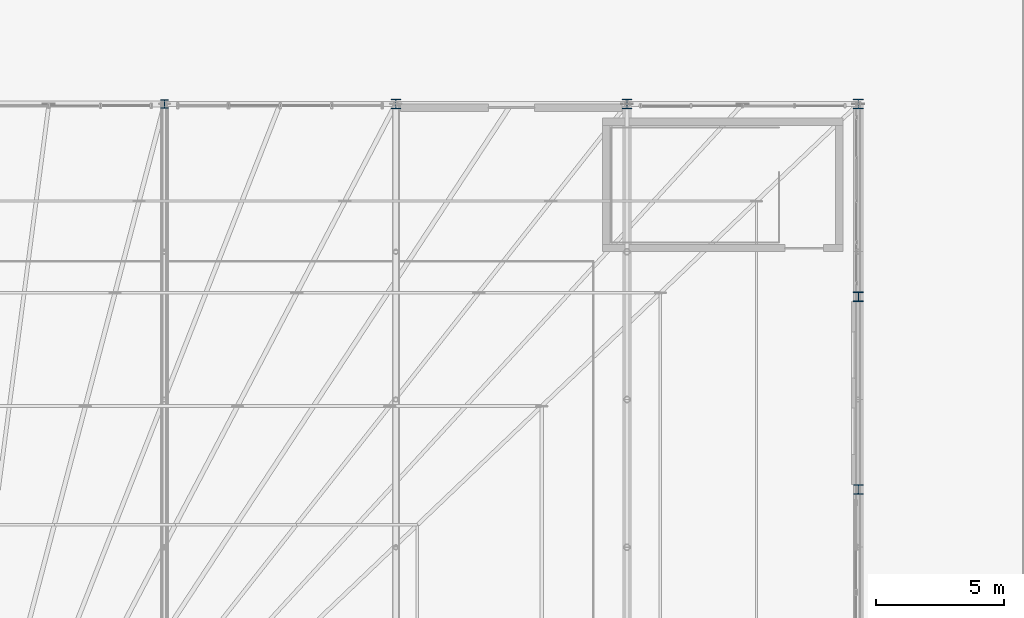
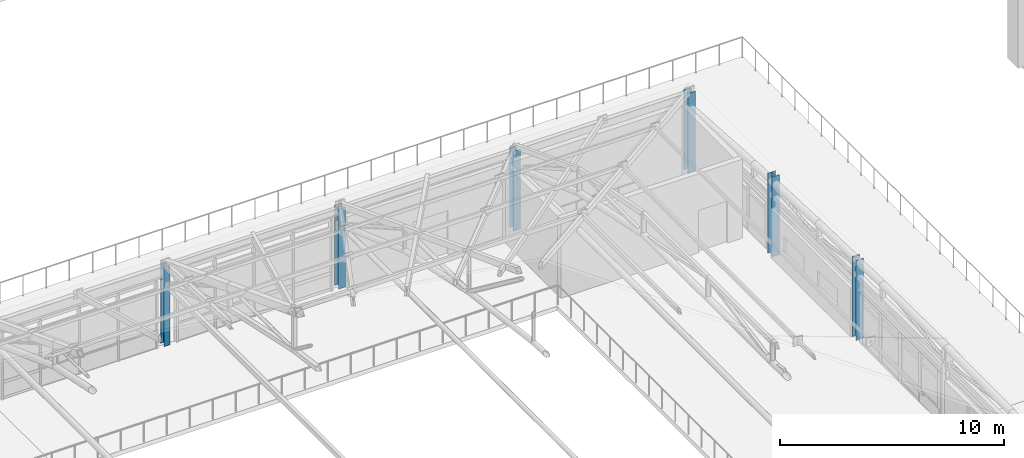
# One storey, part 6 of 168: 6 columns.
"""IFC4 building model written with IfcOpenShell, lengths in metres."""

from ifc_helpers import new_model, si_unit, direction, frame, origin, origin_2d, place, context, subcontext, project, spatial, i_section, extrude, material, material_profile, profile_set, type_object, element, save


model = new_model("IFC4")

# Units and contexts
model_context = context("Model", 3, precision=1e-05, world=origin(), true_north=direction((0.0, 1.0)))
body_context = subcontext(model_context, "Body", "Model", "MODEL_VIEW")
ifc_project = project(units=[si_unit("LENGTHUNIT", "METRE"), si_unit("AREAUNIT", "SQUARE_METRE"), si_unit("VOLUMEUNIT", "CUBIC_METRE"), si_unit("PLANEANGLEUNIT", "RADIAN"), si_unit("MASSUNIT", "GRAM", prefix="KILO"), si_unit("THERMODYNAMICTEMPERATUREUNIT", "KELVIN"), si_unit("POWERUNIT", "WATT")], contexts=[model_context])

# Site, building, storey
site_placement = place(None, origin())
site = spatial("IfcSite", under=ifc_project, at=site_placement, CompositionType="ELEMENT")
building_placement = place(site_placement, origin())
building = spatial("IfcBuilding", under=site, at=building_placement, Name="Tepalcoro Natatorium and Aquatics Centre", CompositionType="ELEMENT")
storey_placement = place(building_placement, frame((0.0, 0.0, 10.199951171875)))
storey = spatial("IfcBuildingStorey", under=building, at=storey_placement, Name="L02", CompositionType="ELEMENT", Elevation=10.199951171875)

# Columns
ifc_material = material(Name="Steel ASTM A992 Grade 50 (Fy 345 MPa)", Category="steel")
ifc_material_profile_1 = material_profile(ifc_material, i_section(OverallWidth=0.306884765625, OverallDepth=0.31494140625, WebThickness=0.011962890625, FlangeThickness=0.01904296875, FilletRadius=0.013916015625, at=origin_2d()), Name="W12X79")
ifc_profile_set_1 = profile_set([ifc_material_profile_1], Name="Steel ASTM A992 Grade 50 (Fy 345 MPa)")
column_type_1 = type_object("IfcColumnType", Name="COL_W12x79", PredefinedType="COLUMN", material=ifc_profile_set_1)
column_1_placement = place(storey_placement, frame((98.0, 59.0, 0.0), z_axis=(0.0, 0.0, 1.0), x_axis=(1.0, 0.0, 0.0)))
element("IfcColumn", 1, at=column_1_placement, inside=storey, type_object=column_type_1, Name="V1 L02 Grid Column (98.0, 59.0)", PredefinedType="COLUMN", context=body_context, shape_type="SweptSolid", body=[
    extrude(i_section(OverallWidth=0.306884765625, OverallDepth=0.31494140625, WebThickness=0.011962890625, FlangeThickness=0.01904296875, FilletRadius=0.013916015625, at=origin_2d()), origin(), (0.0, 0.0, 1.0), 4.35009765625),
])
ifc_material_profile_2 = material_profile(ifc_material, i_section(OverallWidth=0.37109375, OverallDepth=0.363037109375, WebThickness=0.012939453125, FlangeThickness=0.02197265625, FilletRadius=0.013916015625, at=origin_2d()), Name="W14X109")
ifc_profile_set_2 = profile_set([ifc_material_profile_2], Name="Steel ASTM A992 Grade 50 (Fy 345 MPa)")
column_type_2 = type_object("IfcColumnType", Name="COL_W14x109", PredefinedType="COLUMN", material=ifc_profile_set_2)
column_2_placement = place(storey_placement, frame((107.0, 59.0, 0.0), z_axis=(0.0, 0.0, 1.0), x_axis=(1.0, 0.0, 0.0)))
element("IfcColumn", 2, at=column_2_placement, inside=storey, type_object=column_type_2, Name="V1 L02 Grid Column (107.0, 59.0)", PredefinedType="COLUMN", context=body_context, shape_type="SweptSolid", body=[
    extrude(i_section(OverallWidth=0.37109375, OverallDepth=0.363037109375, WebThickness=0.012939453125, FlangeThickness=0.02197265625, FilletRadius=0.013916015625, at=origin_2d()), origin(), (0.0, 0.0, 1.0), 4.35009765625),
])
ifc_material_profile_3 = material_profile(ifc_material, i_section(OverallWidth=0.373046875, OverallDepth=0.367919921875, WebThickness=0.014892578125, FlangeThickness=0.02392578125, FilletRadius=0.013916015625, at=origin_2d()), Name="W14X120")
ifc_profile_set_3 = profile_set([ifc_material_profile_3], Name="Steel ASTM A992 Grade 50 (Fy 345 MPa)")
column_type_3 = type_object("IfcColumnType", Name="COL_W14x120", PredefinedType="COLUMN", material=ifc_profile_set_3)
column_3_placement = place(storey_placement, frame((125.0, 44.0, 0.0), z_axis=(0.0, 0.0, 1.0), x_axis=(1.0, 0.0, 0.0)))
element("IfcColumn", 3, at=column_3_placement, inside=storey, type_object=column_type_3, Name="V1 L02 Grid Column (125.0, 44.0)", PredefinedType="COLUMN", context=body_context, shape_type="SweptSolid", body=[
    extrude(i_section(OverallWidth=0.373046875, OverallDepth=0.367919921875, WebThickness=0.014892578125, FlangeThickness=0.02392578125, FilletRadius=0.013916015625, at=origin_2d()), origin(), (0.0, 0.0, 1.0), 4.35009765625),
])
ifc_material_profile_4 = material_profile(ifc_material, i_section(OverallWidth=0.39404296875, OverallDepth=0.3759765625, WebThickness=0.01708984375, FlangeThickness=0.028076171875, FilletRadius=0.013916015625, at=origin_2d()), Name="W14X145")
ifc_profile_set_4 = profile_set([ifc_material_profile_4], Name="Steel ASTM A992 Grade 50 (Fy 345 MPa)")
column_type_4 = type_object("IfcColumnType", Name="COL_W14x145", PredefinedType="COLUMN", material=ifc_profile_set_4)
column_4_placement = place(storey_placement, frame((125.0, 51.5, 0.0), z_axis=(0.0, 0.0, 1.0), x_axis=(1.0, 0.0, 0.0)))
element("IfcColumn", 4, at=column_4_placement, inside=storey, type_object=column_type_4, Name="V1 L02 Grid Column (125.0, 51.5)", PredefinedType="COLUMN", context=body_context, shape_type="SweptSolid", body=[
    extrude(i_section(OverallWidth=0.39404296875, OverallDepth=0.3759765625, WebThickness=0.01708984375, FlangeThickness=0.028076171875, FilletRadius=0.013916015625, at=origin_2d()), origin(), (0.0, 0.0, 1.0), 4.35009765625),
])
ifc_material_profile_5 = material_profile(ifc_material, i_section(OverallWidth=0.39892578125, OverallDepth=0.385986328125, WebThickness=0.02099609375, FlangeThickness=0.032958984375, FilletRadius=0.013916015625, at=origin_2d()), Name="W14X176")
ifc_profile_set_5 = profile_set([ifc_material_profile_5], Name="Steel ASTM A992 Grade 50 (Fy 345 MPa)")
column_type_5 = type_object("IfcColumnType", Name="COL_W14x176", PredefinedType="COLUMN", material=ifc_profile_set_5)
column_5_placement = place(storey_placement, frame((125.0, 59.0, 0.0), z_axis=(0.0, 0.0, 1.0), x_axis=(1.0, 0.0, 0.0)))
element("IfcColumn", 5, at=column_5_placement, inside=storey, type_object=column_type_5, Name="V1 L02 Grid Column (125.0, 59.0)", PredefinedType="COLUMN", context=body_context, shape_type="SweptSolid", body=[
    extrude(i_section(OverallWidth=0.39892578125, OverallDepth=0.385986328125, WebThickness=0.02099609375, FlangeThickness=0.032958984375, FilletRadius=0.013916015625, at=origin_2d()), origin(), (0.0, 0.0, 1.0), 4.35009765625),
])
ifc_material_profile_6 = material_profile(ifc_material, i_section(OverallWidth=0.367919921875, OverallDepth=0.35595703125, WebThickness=0.010986328125, FlangeThickness=0.01806640625, FilletRadius=0.013916015625, at=origin_2d()), Name="W14X90")
ifc_profile_set_6 = profile_set([ifc_material_profile_6], Name="Steel ASTM A992 Grade 50 (Fy 345 MPa)")
column_type_6 = type_object("IfcColumnType", Name="COL_W14x90", PredefinedType="COLUMN", material=ifc_profile_set_6)
column_6_placement = place(storey_placement, frame((116.0, 59.0, 0.0), z_axis=(0.0, 0.0, 1.0), x_axis=(1.0, 0.0, 0.0)))
element("IfcColumn", 6, at=column_6_placement, inside=storey, type_object=column_type_6, Name="V1 L02 Grid Column (116.0, 59.0)", PredefinedType="COLUMN", context=body_context, shape_type="SweptSolid", body=[
    extrude(i_section(OverallWidth=0.367919921875, OverallDepth=0.35595703125, WebThickness=0.010986328125, FlangeThickness=0.01806640625, FilletRadius=0.013916015625, at=origin_2d()), origin(), (0.0, 0.0, 1.0), 4.35009765625),
])

save(model, "model.ifc")
